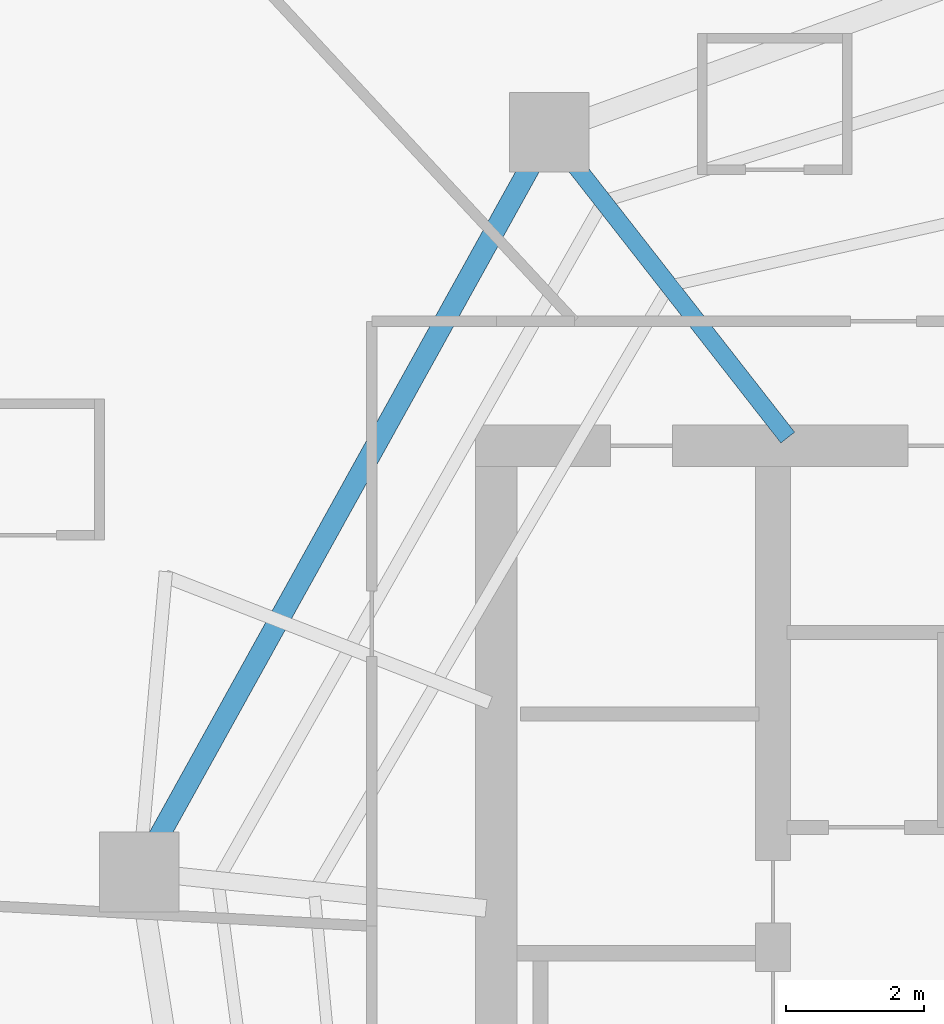
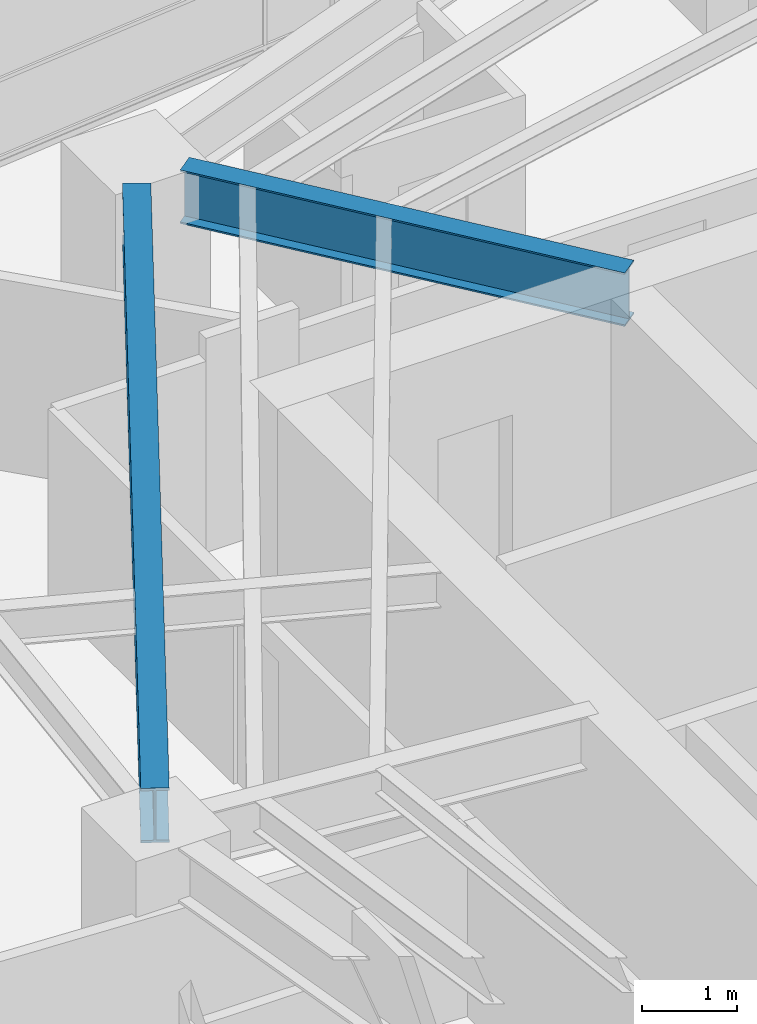
# One storey, part 15 of 30: 2 beams.
"""IFC4 building model written with IfcOpenShell, lengths in metres."""

from ifc_helpers import new_model, si_unit, direction, frame, origin, origin_2d, place, context, subcontext, project, spatial, i_section, extrude, material, material_profile, profile_set, type_object, element, save


model = new_model("IFC4")

# Units and contexts
model_context = context("Model", 3, precision=1e-05, world=origin(), true_north=direction((0.0, 1.0)))
body_context = subcontext(model_context, "Body", "Model", "MODEL_VIEW")
ifc_project = project(units=[si_unit("LENGTHUNIT", "METRE"), si_unit("AREAUNIT", "SQUARE_METRE"), si_unit("VOLUMEUNIT", "CUBIC_METRE"), si_unit("PLANEANGLEUNIT", "RADIAN"), si_unit("MASSUNIT", "GRAM", prefix="KILO")], contexts=[model_context])

# Site, building, storey
site_placement = place(None, origin())
site = spatial("IfcSite", under=ifc_project, at=site_placement, CompositionType="ELEMENT")
building_placement = place(site_placement, origin())
building = spatial("IfcBuilding", under=site, at=building_placement, Name="Qarnah Convention Tower", CompositionType="ELEMENT")
storey_placement = place(building_placement, frame((0.0, 0.0, 90.14990234375)))
storey = spatial("IfcBuildingStorey", under=building, at=storey_placement, Name="L23", CompositionType="ELEMENT", Elevation=90.14990234375)

# Beams
ifc_material = material(Name="Structural steel S355JR", Category="steel")
ifc_material_profile_1 = material_profile(ifc_material, i_section(OverallWidth=0.25390625, OverallDepth=0.68798828125, WebThickness=0.012939453125, FlangeThickness=0.02099609375, at=origin_2d()), Name="W690X152")
ifc_profile_set_1 = profile_set([ifc_material_profile_1], Name="Structural steel S355JR")
beam_type_1 = type_object("IfcBeamType", Name="BM-RAD-W690", PredefinedType="BEAM", material=ifc_profile_set_1)
beam_1_placement = place(storey_placement, frame((31.013916015625, 34.318115234375, 2.826171875), z_axis=(-0.61565061353, 0.788019239651, 0.0), x_axis=(-0.788019239651, -0.61565061353, 0.0)))
element("IfcBeam", 1, at=beam_1_placement, inside=storey, type_object=beam_type_1, Name="L23 beam BM-L23-RAD-04", PredefinedType="BEAM", context=body_context, shape_type="SweptSolid", body=[
    extrude(i_section(OverallWidth=0.25390625, OverallDepth=0.68798828125, WebThickness=0.012939453125, FlangeThickness=0.02099609375, at=origin_2d()), origin(), (0.0, 0.0, 1.0), 5.046630859375),
])
ifc_material_profile_2 = material_profile(ifc_material, i_section(OverallWidth=0.300048828125, OverallDepth=0.699951171875, WebThickness=0.01708984375, FlangeThickness=0.031982421875, at=origin_2d()), Name="HEB700")
ifc_profile_set_2 = profile_set([ifc_material_profile_2], Name="Structural steel S355JR")
beam_type_2 = type_object("IfcBeamType", Name="BM-RING-HEB700", PredefinedType="BEAM", material=ifc_profile_set_2)
beam_2_placement = place(storey_placement, frame((27.291015625, 38.238037109375, 2.820068359375), z_axis=(-0.484800448222, -0.874624791212, 0.0), x_axis=(0.874624791212, -0.484800448222, 0.0)))
element("IfcBeam", 2, at=beam_2_placement, inside=storey, type_object=beam_type_2, Name="L23 beam BM-L23-SPN-04", PredefinedType="BEAM", context=body_context, shape_type="SweptSolid", body=[
    extrude(i_section(OverallWidth=0.300048828125, OverallDepth=0.699951171875, WebThickness=0.01708984375, FlangeThickness=0.031982421875, at=origin_2d()), origin(), (0.0, 0.0, 1.0), 11.099609375),
])

save(model, "model.ifc")
